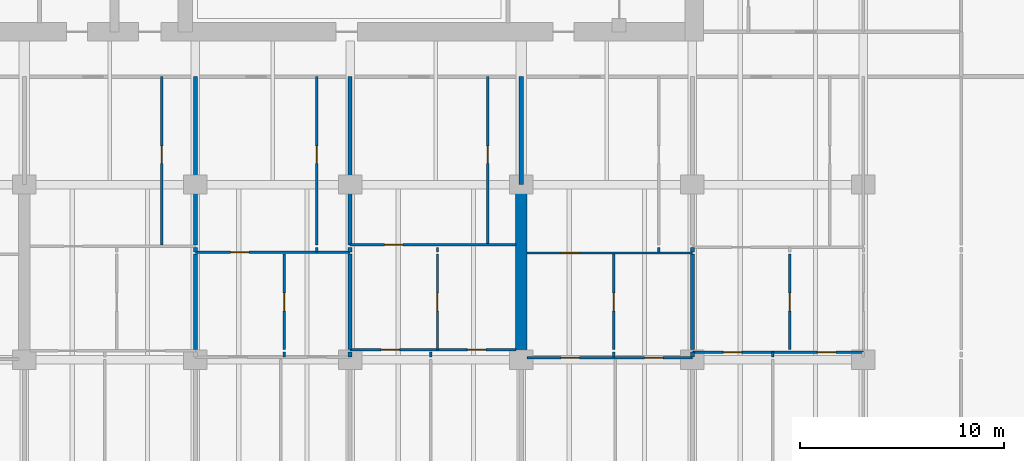
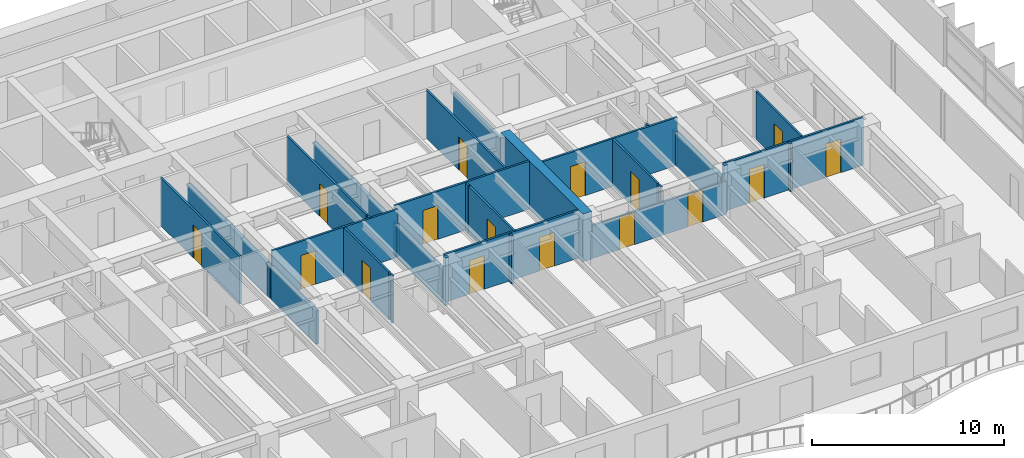
# One storey, part 9 of 18: 32 walls, 16 doors, 16 openings.
"""IFC4 building model written with IfcOpenShell, lengths in metres."""

from ifc_helpers import new_model, si_unit, direction, frame, frame_2d, origin, place, context, subcontext, project, spatial, rectangle, extrude, material, layer, layer_set, type_object, element, fill, save


model = new_model("IFC4")

# Units and contexts
model_context = context("Model", 3, precision=1e-05, world=origin(), true_north=direction((0.0, 1.0)))
body_context = subcontext(model_context, "Body", "Model", "MODEL_VIEW")
ifc_project = project(units=[si_unit("LENGTHUNIT", "METRE"), si_unit("AREAUNIT", "SQUARE_METRE"), si_unit("VOLUMEUNIT", "CUBIC_METRE"), si_unit("PLANEANGLEUNIT", "RADIAN"), si_unit("MASSUNIT", "GRAM", prefix="KILO")], contexts=[model_context])

# Site, building, storey
site_placement = place(None, origin())
site = spatial("IfcSite", under=ifc_project, at=site_placement, CompositionType="ELEMENT")
building_placement = place(site_placement, origin())
building = spatial("IfcBuilding", under=site, at=building_placement, Name="Caelmar Bay Residences", CompositionType="ELEMENT")
storey_placement = place(building_placement, frame((0.0, 0.0, 69.60009765625)))
storey = spatial("IfcBuildingStorey", under=building, at=storey_placement, Name="L18", CompositionType="ELEMENT", Elevation=69.60009765625)

# Wall
ifc_material_1 = material(Name="Concrete f'c 70 MPa (10,000 psi)", Category="concrete")
ifc_layer_1 = layer(ifc_material_1, 0.550048828125)
ifc_layer_set_1 = layer_set([ifc_layer_1], Name="Concrete f'c 70 MPa (10,000 psi)")
wall_type_1 = type_object("IfcWallType", Name="SW-XSLB-550", PredefinedType="SHEAR", material=ifc_layer_set_1)
wall_1_placement = place(storey_placement, frame((51.10009765625, 20.800048828125, 0.0), z_axis=(0.0, 0.0, 1.0), x_axis=(0.0, 1.0, 0.0)))
element("IfcWall", 1, at=wall_1_placement, inside=storey, type_object=wall_type_1, Name="L18 Transverse Cross-Slab Shear Wall E8", PredefinedType="SHEAR", context=body_context, shape_type="SweptSolid", body=[
    extrude(rectangle(XDim=8.599853515625, YDim=0.550048828125, at=frame_2d((4.2998046875, 0.0))), origin(), (0.0, 0.0, 1.0), 3.0498046875),
])

# Wall, opening, door
ifc_material_2 = material(Name="Acoustic metal-stud gypsum partition 120 mm")
ifc_layer_2 = layer(ifc_material_2, 0.1201171875)
ifc_layer_set_2 = layer_set([ifc_layer_2], Name="Acoustic metal-stud gypsum partition 120 mm")
wall_type_2 = type_object("IfcWallType", Name="W-PRT-120", PredefinedType="PARTITIONING", material=ifc_layer_set_2)
wall_2_placement = place(storey_placement, frame((33.449951171875, 26.43994140625, 0.0), z_axis=(0.0, 0.0, 1.0), x_axis=(0.0, 1.0, 0.0)))
wall_2 = element("IfcWall", 2, at=wall_2_placement, inside=storey, type_object=wall_type_2, Name="L18 Partition Wall V046", PredefinedType="PARTITIONING", context=body_context, shape_type="SweptSolid", body=[
    extrude(rectangle(XDim=8.260009765625, YDim=0.1201171875, at=frame_2d((4.1298828125, 0.0))), origin(), (0.0, 0.0, 1.0), 3.0498046875),
])
opening_1_placement = place(wall_2_placement, frame((4.0048828125, 0.0, 0.0)))
opening_1 = element("IfcOpeningElement", 3, at=opening_1_placement, cuts=wall_2, Name="Opening D-L18-135", PredefinedType="OPENING", context=body_context, shape_type="SweptSolid", body=[
    extrude(rectangle(XDim=0.85009765625, YDim=2.10009765625, at=frame_2d((0.425048828125, 1.050048828125))), frame((0.0, 0.070068359375, 0.0), z_axis=(0.0, -1.0, 0.0), x_axis=(1.0, 0.0, 0.0)), (0.0, 0.0, 1.0), 0.14013671875),
])
ifc_material_3 = material(Name="Solid walnut timber interior door leaf and frame", Category="wood")
ifc_layer_3 = layer(ifc_material_3, 0.050048828125)
ifc_layer_set_3 = layer_set([ifc_layer_3], Name="Solid walnut timber interior door leaf and frame")
door_type_1 = type_object("IfcDoorType", Name="D-BATH-850", OperationType="NOTDEFINED", PredefinedType="DOOR", material=ifc_layer_set_3)
door_1_placement = place(opening_1_placement, origin())
door_1 = element("IfcDoor", 4, at=door_1_placement, inside=storey, type_object=door_type_1, Name="L18 Residence 03 Bathroom Door", OperationType="SINGLE_SWING_RIGHT", OverallHeight=2.10009765625, OverallWidth=0.85009765625, PredefinedType="DOOR", context=body_context, shape_type="SweptSolid", body=[
    extrude(rectangle(XDim=0.85009765625, YDim=2.10009765625, at=frame_2d((0.425048828125, 1.050048828125))), frame((0.0, 0.02490234375, 0.0), z_axis=(0.0, -1.0, 0.0), x_axis=(1.0, 0.0, 0.0)), (0.0, 0.0, 1.0), 0.050048828125),
])
fill(opening_1, door_1)

# Wall
wall_3_placement = place(storey_placement, frame((39.4541015625, 20.929931640625, 0.0), z_axis=(0.0, 0.0, 1.0), x_axis=(0.0, 1.0, 0.0)))
element("IfcWall", 5, at=wall_3_placement, inside=storey, type_object=wall_type_2, Name="L18 Partition Wall V057", PredefinedType="PARTITIONING", context=body_context, shape_type="SweptSolid", body=[
    extrude(rectangle(XDim=0.239990234375, YDim=0.1201171875, at=frame_2d((0.1201171875, 0.0))), origin(), (0.0, 0.0, 1.0), 3.0498046875),
])

# Wall, opening, door
wall_4_placement = place(storey_placement, frame((39.4541015625, 21.2900390625, 0.0), z_axis=(0.0, 0.0, 1.0), x_axis=(0.0, 1.0, 0.0)))
wall_4 = element("IfcWall", 6, at=wall_4_placement, inside=storey, type_object=wall_type_2, Name="L18 Partition Wall V058", PredefinedType="PARTITIONING", context=body_context, shape_type="SweptSolid", body=[
    extrude(rectangle(XDim=4.68994140625, YDim=0.1201171875, at=frame_2d((2.344970703125, 0.0))), origin(), (0.0, 0.0, 1.0), 3.0498046875),
])
opening_2_placement = place(wall_4_placement, frame((1.89501953125, 0.0, 0.0)))
opening_2 = element("IfcOpeningElement", 7, at=opening_2_placement, cuts=wall_4, Name="Opening D-L18-144", PredefinedType="OPENING", context=body_context, shape_type="SweptSolid", body=[
    extrude(rectangle(XDim=0.89990234375, YDim=2.14990234375, at=frame_2d((0.449951171875, 1.074951171875))), frame((0.0, 0.070068359375, 0.0), z_axis=(0.0, -1.0, 0.0), x_axis=(1.0, 0.0, 0.0)), (0.0, 0.0, 1.0), 0.14013671875),
])
ifc_layer_4 = layer(ifc_material_3, 0.050048828125)
ifc_layer_set_4 = layer_set([ifc_layer_4], Name="Solid walnut timber interior door leaf and frame")
door_type_2 = type_object("IfcDoorType", Name="D-ROOM-900", OperationType="NOTDEFINED", PredefinedType="DOOR", material=ifc_layer_set_4)
door_2_placement = place(opening_2_placement, origin())
door_2 = element("IfcDoor", 8, at=door_2_placement, inside=storey, type_object=door_type_2, Name="L18 Residence 04 Study Door", OperationType="SINGLE_SWING_LEFT", OverallHeight=2.14990234375, OverallWidth=0.89990234375, PredefinedType="DOOR", context=body_context, shape_type="SweptSolid", body=[
    extrude(rectangle(XDim=0.89990234375, YDim=2.14990234375, at=frame_2d((0.449951171875, 1.074951171875))), frame((0.0, 0.02490234375, 0.0), z_axis=(0.0, -1.0, 0.0), x_axis=(1.0, 0.0, 0.0)), (0.0, 0.0, 1.0), 0.050048828125),
])
fill(opening_2, door_2)

# Wall
wall_5_placement = place(storey_placement, frame((41.050048828125, 26.080078125, 0.0), z_axis=(0.0, 0.0, 1.0), x_axis=(0.0, 1.0, 0.0)))
element("IfcWall", 9, at=wall_5_placement, inside=storey, type_object=wall_type_2, Name="L18 Partition Wall V060", PredefinedType="PARTITIONING", context=body_context, shape_type="SweptSolid", body=[
    extrude(rectangle(XDim=0.239990234375, YDim=0.1201171875, at=frame_2d((0.1201171875, 0.0))), origin(), (0.0, 0.0, 1.0), 3.0498046875),
])

# Wall, opening, door
wall_6_placement = place(storey_placement, frame((41.050048828125, 26.43994140625, 0.0), z_axis=(0.0, 0.0, 1.0), x_axis=(0.0, 1.0, 0.0)))
wall_6 = element("IfcWall", 10, at=wall_6_placement, inside=storey, type_object=wall_type_2, Name="L18 Partition Wall V061", PredefinedType="PARTITIONING", context=body_context, shape_type="SweptSolid", body=[
    extrude(rectangle(XDim=8.260009765625, YDim=0.1201171875, at=frame_2d((4.1298828125, 0.0))), origin(), (0.0, 0.0, 1.0), 3.0498046875),
])
opening_3_placement = place(wall_6_placement, frame((4.0048828125, 0.0, 0.0)))
opening_3 = element("IfcOpeningElement", 11, at=opening_3_placement, cuts=wall_6, Name="Opening D-L18-142", PredefinedType="OPENING", context=body_context, shape_type="SweptSolid", body=[
    extrude(rectangle(XDim=0.85009765625, YDim=2.10009765625, at=frame_2d((0.425048828125, 1.050048828125))), frame((0.0, 0.070068359375, 0.0), z_axis=(0.0, -1.0, 0.0), x_axis=(1.0, 0.0, 0.0)), (0.0, 0.0, 1.0), 0.14013671875),
])
door_3_placement = place(opening_3_placement, origin())
door_3 = element("IfcDoor", 12, at=door_3_placement, inside=storey, type_object=door_type_1, Name="L18 Residence 04 Bathroom Door", OperationType="SINGLE_SWING_LEFT", OverallHeight=2.10009765625, OverallWidth=0.85009765625, PredefinedType="DOOR", context=body_context, shape_type="SweptSolid", body=[
    extrude(rectangle(XDim=0.85009765625, YDim=2.10009765625, at=frame_2d((0.425048828125, 1.050048828125))), frame((0.0, 0.02490234375, 0.0), z_axis=(0.0, -1.0, 0.0), x_axis=(1.0, 0.0, 0.0)), (0.0, 0.0, 1.0), 0.050048828125),
])
fill(opening_3, door_3)

# Wall
wall_7_placement = place(storey_placement, frame((46.64794921875, 20.929931640625, 0.0), z_axis=(0.0, 0.0, 1.0), x_axis=(0.0, 1.0, 0.0)))
element("IfcWall", 13, at=wall_7_placement, inside=storey, type_object=wall_type_2, Name="L18 Partition Wall V072", PredefinedType="PARTITIONING", context=body_context, shape_type="SweptSolid", body=[
    extrude(rectangle(XDim=0.239990234375, YDim=0.1201171875, at=frame_2d((0.1201171875, 0.0))), origin(), (0.0, 0.0, 1.0), 3.0498046875),
])

# Wall, opening, door
wall_8_placement = place(storey_placement, frame((46.986083984375, 21.2900390625, 0.0), z_axis=(0.0, 0.0, 1.0), x_axis=(0.0, 1.0, 0.0)))
wall_8 = element("IfcWall", 14, at=wall_8_placement, inside=storey, type_object=wall_type_2, Name="L18 Partition Wall V073", PredefinedType="PARTITIONING", context=body_context, shape_type="SweptSolid", body=[
    extrude(rectangle(XDim=4.68994140625, YDim=0.1201171875, at=frame_2d((2.344970703125, 0.0))), origin(), (0.0, 0.0, 1.0), 3.0498046875),
])
opening_4_placement = place(wall_8_placement, frame((1.89501953125, 0.0, 0.0)))
opening_4 = element("IfcOpeningElement", 15, at=opening_4_placement, cuts=wall_8, Name="Opening D-L18-151", PredefinedType="OPENING", context=body_context, shape_type="SweptSolid", body=[
    extrude(rectangle(XDim=0.89990234375, YDim=2.14990234375, at=frame_2d((0.449951171875, 1.074951171875))), frame((0.0, 0.070068359375, 0.0), z_axis=(0.0, -1.0, 0.0), x_axis=(1.0, 0.0, 0.0)), (0.0, 0.0, 1.0), 0.14013671875),
])
door_4_placement = place(opening_4_placement, origin())
door_4 = element("IfcDoor", 16, at=door_4_placement, inside=storey, type_object=door_type_2, Name="L18 Residence 05 Study Door", OperationType="SINGLE_SWING_RIGHT", OverallHeight=2.14990234375, OverallWidth=0.89990234375, PredefinedType="DOOR", context=body_context, shape_type="SweptSolid", body=[
    extrude(rectangle(XDim=0.89990234375, YDim=2.14990234375, at=frame_2d((0.449951171875, 1.074951171875))), frame((0.0, 0.02490234375, 0.0), z_axis=(0.0, -1.0, 0.0), x_axis=(1.0, 0.0, 0.0)), (0.0, 0.0, 1.0), 0.050048828125),
])
fill(opening_4, door_4)

# Wall
wall_9_placement = place(storey_placement, frame((46.986083984375, 26.080078125, 0.0), z_axis=(0.0, 0.0, 1.0), x_axis=(0.0, 1.0, 0.0)))
element("IfcWall", 17, at=wall_9_placement, inside=storey, type_object=wall_type_2, Name="L18 Partition Wall V074", PredefinedType="PARTITIONING", context=body_context, shape_type="SweptSolid", body=[
    extrude(rectangle(XDim=0.239990234375, YDim=0.1201171875, at=frame_2d((0.1201171875, 0.0))), origin(), (0.0, 0.0, 1.0), 3.0498046875),
])

# Wall, opening, door
wall_10_placement = place(storey_placement, frame((49.449951171875, 26.43994140625, 0.0), z_axis=(0.0, 0.0, 1.0), x_axis=(0.0, 1.0, 0.0)))
wall_10 = element("IfcWall", 18, at=wall_10_placement, inside=storey, type_object=wall_type_2, Name="L18 Partition Wall V076", PredefinedType="PARTITIONING", context=body_context, shape_type="SweptSolid", body=[
    extrude(rectangle(XDim=8.260009765625, YDim=0.1201171875, at=frame_2d((4.1298828125, 0.0))), origin(), (0.0, 0.0, 1.0), 3.0498046875),
])
opening_5_placement = place(wall_10_placement, frame((4.0048828125, 0.0, 0.0)))
opening_5 = element("IfcOpeningElement", 19, at=opening_5_placement, cuts=wall_10, Name="Opening D-L18-149", PredefinedType="OPENING", context=body_context, shape_type="SweptSolid", body=[
    extrude(rectangle(XDim=0.85009765625, YDim=2.10009765625, at=frame_2d((0.425048828125, 1.050048828125))), frame((0.0, 0.070068359375, 0.0), z_axis=(0.0, -1.0, 0.0), x_axis=(1.0, 0.0, 0.0)), (0.0, 0.0, 1.0), 0.14013671875),
])
door_5_placement = place(opening_5_placement, origin())
door_5 = element("IfcDoor", 20, at=door_5_placement, inside=storey, type_object=door_type_1, Name="L18 Residence 05 Bathroom Door", OperationType="SINGLE_SWING_RIGHT", OverallHeight=2.10009765625, OverallWidth=0.85009765625, PredefinedType="DOOR", context=body_context, shape_type="SweptSolid", body=[
    extrude(rectangle(XDim=0.85009765625, YDim=2.10009765625, at=frame_2d((0.425048828125, 1.050048828125))), frame((0.0, 0.02490234375, 0.0), z_axis=(0.0, -1.0, 0.0), x_axis=(1.0, 0.0, 0.0)), (0.0, 0.0, 1.0), 0.050048828125),
])
fill(opening_5, door_5)

# Wall
wall_11_placement = place(storey_placement, frame((55.635986328125, 20.929931640625, 0.0), z_axis=(0.0, 0.0, 1.0), x_axis=(0.0, 1.0, 0.0)))
element("IfcWall", 21, at=wall_11_placement, inside=storey, type_object=wall_type_2, Name="L18 Partition Wall V083", PredefinedType="PARTITIONING", context=body_context, shape_type="SweptSolid", body=[
    extrude(rectangle(XDim=0.239990234375, YDim=0.1201171875, at=frame_2d((0.1201171875, 0.0))), origin(), (0.0, 0.0, 1.0), 3.0498046875),
])

# Wall, opening, door
wall_12_placement = place(storey_placement, frame((55.635986328125, 21.2900390625, 0.0), z_axis=(0.0, 0.0, 1.0), x_axis=(0.0, 1.0, 0.0)))
wall_12 = element("IfcWall", 22, at=wall_12_placement, inside=storey, type_object=wall_type_2, Name="L18 Partition Wall V084", PredefinedType="PARTITIONING", context=body_context, shape_type="SweptSolid", body=[
    extrude(rectangle(XDim=4.68994140625, YDim=0.1201171875, at=frame_2d((2.344970703125, 0.0))), origin(), (0.0, 0.0, 1.0), 3.0498046875),
])
opening_6_placement = place(wall_12_placement, frame((1.89501953125, 0.0, 0.0)))
opening_6 = element("IfcOpeningElement", 23, at=opening_6_placement, cuts=wall_12, Name="Opening D-L18-158", PredefinedType="OPENING", context=body_context, shape_type="SweptSolid", body=[
    extrude(rectangle(XDim=0.89990234375, YDim=2.14990234375, at=frame_2d((0.449951171875, 1.074951171875))), frame((0.0, 0.070068359375, 0.0), z_axis=(0.0, -1.0, 0.0), x_axis=(1.0, 0.0, 0.0)), (0.0, 0.0, 1.0), 0.14013671875),
])
door_6_placement = place(opening_6_placement, origin())
door_6 = element("IfcDoor", 24, at=door_6_placement, inside=storey, type_object=door_type_2, Name="L18 Residence 06 Study Door", OperationType="SINGLE_SWING_LEFT", OverallHeight=2.14990234375, OverallWidth=0.89990234375, PredefinedType="DOOR", context=body_context, shape_type="SweptSolid", body=[
    extrude(rectangle(XDim=0.89990234375, YDim=2.14990234375, at=frame_2d((0.449951171875, 1.074951171875))), frame((0.0, 0.02490234375, 0.0), z_axis=(0.0, -1.0, 0.0), x_axis=(1.0, 0.0, 0.0)), (0.0, 0.0, 1.0), 0.050048828125),
])
fill(opening_6, door_6)

# Walls
for number, where, z_axis, x_axis, name in (
    (25, (57.85009765625, 26.080078125, 0.0), (0.0, 0.0, 1.0), (0.0, 1.0, 0.0), "L18 Partition Wall V088"),
    (26, (63.447998046875, 20.929931640625, 0.0), (0.0, 0.0, 1.0), (0.0, 1.0, 0.0), "L18 Partition Wall V099"),
):
    element("IfcWall", number, at=place(storey_placement, frame(where, z_axis=z_axis, x_axis=x_axis)), inside=storey, type_object=wall_type_2, Name=name, PredefinedType="PARTITIONING", context=body_context, shape_type="SweptSolid", body=[
        extrude(rectangle(XDim=0.239990234375, YDim=0.1201171875, at=frame_2d((0.1201171875, 0.0))), origin(), (0.0, 0.0, 1.0), 3.0498046875),
    ])

# Wall, opening, door
wall_13_placement = place(storey_placement, frame((64.285888671875, 21.2900390625, 0.0), z_axis=(0.0, 0.0, 1.0), x_axis=(0.0, 1.0, 0.0)))
wall_13 = element("IfcWall", 27, at=wall_13_placement, inside=storey, type_object=wall_type_2, Name="L18 Partition Wall V100", PredefinedType="PARTITIONING", context=body_context, shape_type="SweptSolid", body=[
    extrude(rectangle(XDim=4.68994140625, YDim=0.1201171875, at=frame_2d((2.344970703125, 0.0))), origin(), (0.0, 0.0, 1.0), 3.0498046875),
])
opening_7_placement = place(wall_13_placement, frame((1.89501953125, 0.0, 0.0)))
opening_7 = element("IfcOpeningElement", 28, at=opening_7_placement, cuts=wall_13, Name="Opening D-L18-165", PredefinedType="OPENING", context=body_context, shape_type="SweptSolid", body=[
    extrude(rectangle(XDim=0.89990234375, YDim=2.14990234375, at=frame_2d((0.449951171875, 1.074951171875))), frame((0.0, 0.070068359375, 0.0), z_axis=(0.0, -1.0, 0.0), x_axis=(1.0, 0.0, 0.0)), (0.0, 0.0, 1.0), 0.14013671875),
])
door_7_placement = place(opening_7_placement, origin())
door_7 = element("IfcDoor", 29, at=door_7_placement, inside=storey, type_object=door_type_2, Name="L18 Residence 07 Study Door", OperationType="SINGLE_SWING_RIGHT", OverallHeight=2.14990234375, OverallWidth=0.89990234375, PredefinedType="DOOR", context=body_context, shape_type="SweptSolid", body=[
    extrude(rectangle(XDim=0.89990234375, YDim=2.14990234375, at=frame_2d((0.449951171875, 1.074951171875))), frame((0.0, 0.02490234375, 0.0), z_axis=(0.0, -1.0, 0.0), x_axis=(1.0, 0.0, 0.0)), (0.0, 0.0, 1.0), 0.050048828125),
])
fill(opening_7, door_7)

# Wall, openings, doors
wall_14_placement = place(storey_placement, frame((51.3701171875, 20.889892578125, 0.0), z_axis=(0.0, 0.0, 1.0), x_axis=(1.0, 0.0, 0.0)))
wall_14 = element("IfcWall", 30, at=wall_14_placement, inside=storey, type_object=wall_type_2, Name="L18 Partition Wall H125", PredefinedType="PARTITIONING", context=body_context, shape_type="SweptSolid", body=[
    extrude(rectangle(XDim=8.1298828125, YDim=0.1201171875, at=frame_2d((4.06494140625, 0.0))), origin(), (0.0, 0.0, 1.0), 2.10986328125),
])
opening_8_placement = place(wall_14_placement, frame((1.68310546875, 0.0, 0.0)))
opening_8 = element("IfcOpeningElement", 31, at=opening_8_placement, cuts=wall_14, Name="Opening D-L18-159", PredefinedType="OPENING", context=body_context, shape_type="SweptSolid", body=[
    extrude(rectangle(XDim=0.89990234375, YDim=2.06005859375, at=frame_2d((0.449951171875, 1.030029296875))), frame((0.0, 0.070068359375, 0.0), z_axis=(0.0, -1.0, 0.0), x_axis=(1.0, 0.0, 0.0)), (0.0, 0.0, 1.0), 0.14013671875),
])
opening_9_placement = place(wall_14_placement, frame((5.7900390625, 0.0, 0.0)))
opening_9 = element("IfcOpeningElement", 32, at=opening_9_placement, cuts=wall_14, Name="Opening D-L18-160", PredefinedType="OPENING", context=body_context, shape_type="SweptSolid", body=[
    extrude(rectangle(XDim=0.89990234375, YDim=2.06005859375, at=frame_2d((0.449951171875, 1.030029296875))), frame((0.0, 0.070068359375, 0.0), z_axis=(0.0, -1.0, 0.0), x_axis=(1.0, 0.0, 0.0)), (0.0, 0.0, 1.0), 0.14013671875),
])
door_8_placement = place(opening_8_placement, origin())
door_8 = element("IfcDoor", 33, at=door_8_placement, inside=storey, type_object=door_type_2, Name="L18 Residence 06 Penthouse Living Salon Door", OperationType="SINGLE_SWING_RIGHT", OverallHeight=2.06005859375, OverallWidth=0.89990234375, PredefinedType="DOOR", context=body_context, shape_type="SweptSolid", body=[
    extrude(rectangle(XDim=0.89990234375, YDim=2.06005859375, at=frame_2d((0.449951171875, 1.030029296875))), frame((0.0, 0.02490234375, 0.0), z_axis=(0.0, -1.0, 0.0), x_axis=(1.0, 0.0, 0.0)), (0.0, 0.0, 1.0), 0.050048828125),
])
fill(opening_8, door_8)
door_9_placement = place(opening_9_placement, origin())
door_9 = element("IfcDoor", 34, at=door_9_placement, inside=storey, type_object=door_type_2, Name="L18 Residence 06 Penthouse Sitting Room Door", OperationType="SINGLE_SWING_LEFT", OverallHeight=2.06005859375, OverallWidth=0.89990234375, PredefinedType="DOOR", context=body_context, shape_type="SweptSolid", body=[
    extrude(rectangle(XDim=0.89990234375, YDim=2.06005859375, at=frame_2d((0.449951171875, 1.030029296875))), frame((0.0, 0.02490234375, 0.0), z_axis=(0.0, -1.0, 0.0), x_axis=(1.0, 0.0, 0.0)), (0.0, 0.0, 1.0), 0.050048828125),
])
fill(opening_9, door_9)

wall_15_placement = place(storey_placement, frame((59.5, 21.169921875, 0.0), z_axis=(0.0, 0.0, 1.0), x_axis=(1.0, 0.0, 0.0)))
wall_15 = element("IfcWall", 35, at=wall_15_placement, inside=storey, type_object=wall_type_2, Name="L18 Partition Wall H128", PredefinedType="PARTITIONING", context=body_context, shape_type="SweptSolid", body=[
    extrude(rectangle(XDim=8.39990234375, YDim=0.1201171875, at=frame_2d((4.199951171875, 0.0))), origin(), (0.0, 0.0, 1.0), 3.0498046875),
])
opening_10_placement = place(wall_15_placement, frame((1.52392578125, 0.0, 0.0)))
opening_10 = element("IfcOpeningElement", 36, at=opening_10_placement, cuts=wall_15, Name="Opening D-L18-166", PredefinedType="OPENING", context=body_context, shape_type="SweptSolid", body=[
    extrude(rectangle(XDim=0.89990234375, YDim=2.14990234375, at=frame_2d((0.449951171875, 1.074951171875))), frame((0.0, 0.070068359375, 0.0), z_axis=(0.0, -1.0, 0.0), x_axis=(1.0, 0.0, 0.0)), (0.0, 0.0, 1.0), 0.14013671875),
])
opening_11_placement = place(wall_15_placement, frame((6.14306640625, 0.0, 0.0)))
opening_11 = element("IfcOpeningElement", 37, at=opening_11_placement, cuts=wall_15, Name="Opening D-L18-167", PredefinedType="OPENING", context=body_context, shape_type="SweptSolid", body=[
    extrude(rectangle(XDim=0.89990234375, YDim=2.14990234375, at=frame_2d((0.449951171875, 1.074951171875))), frame((0.0, 0.070068359375, 0.0), z_axis=(0.0, -1.0, 0.0), x_axis=(1.0, 0.0, 0.0)), (0.0, 0.0, 1.0), 0.14013671875),
])
door_10_placement = place(opening_10_placement, origin())
door_10 = element("IfcDoor", 38, at=door_10_placement, inside=storey, type_object=door_type_2, Name="L18 Residence 07 Living Room Door", OperationType="SINGLE_SWING_LEFT", OverallHeight=2.14990234375, OverallWidth=0.89990234375, PredefinedType="DOOR", context=body_context, shape_type="SweptSolid", body=[
    extrude(rectangle(XDim=0.89990234375, YDim=2.14990234375, at=frame_2d((0.449951171875, 1.074951171875))), frame((0.0, 0.02490234375, 0.0), z_axis=(0.0, -1.0, 0.0), x_axis=(1.0, 0.0, 0.0)), (0.0, 0.0, 1.0), 0.050048828125),
])
fill(opening_10, door_10)
door_11_placement = place(opening_11_placement, origin())
door_11 = element("IfcDoor", 39, at=door_11_placement, inside=storey, type_object=door_type_2, Name="L18 Residence 07 Penthouse Sitting Room Door", OperationType="SINGLE_SWING_RIGHT", OverallHeight=2.14990234375, OverallWidth=0.89990234375, PredefinedType="DOOR", context=body_context, shape_type="SweptSolid", body=[
    extrude(rectangle(XDim=0.89990234375, YDim=2.14990234375, at=frame_2d((0.449951171875, 1.074951171875))), frame((0.0, 0.02490234375, 0.0), z_axis=(0.0, -1.0, 0.0), x_axis=(1.0, 0.0, 0.0)), (0.0, 0.0, 1.0), 0.050048828125),
])
fill(opening_11, door_11)

wall_16_placement = place(storey_placement, frame((42.699951171875, 21.2900390625, 0.0), z_axis=(0.0, 0.0, 1.0), x_axis=(1.0, 0.0, 0.0)))
wall_16 = element("IfcWall", 40, at=wall_16_placement, inside=storey, type_object=wall_type_2, Name="L18 Partition Wall H130", PredefinedType="PARTITIONING", context=body_context, shape_type="SweptSolid", body=[
    extrude(rectangle(XDim=8.130126953125, YDim=0.1201171875, at=frame_2d((4.06494140625, 0.0))), origin(), (0.0, 0.0, 1.0), 3.0498046875),
])
opening_12_placement = place(wall_16_placement, frame((1.52392578125, 0.0, 0.0)))
opening_12 = element("IfcOpeningElement", 41, at=opening_12_placement, cuts=wall_16, Name="Opening D-L18-152", PredefinedType="OPENING", context=body_context, shape_type="SweptSolid", body=[
    extrude(rectangle(XDim=0.89990234375, YDim=2.14990234375, at=frame_2d((0.449951171875, 1.074951171875))), frame((0.0, 0.070068359375, 0.0), z_axis=(0.0, -1.0, 0.0), x_axis=(1.0, 0.0, 0.0)), (0.0, 0.0, 1.0), 0.14013671875),
])
opening_13_placement = place(wall_16_placement, frame((5.758056640625, 0.0, 0.0)))
opening_13 = element("IfcOpeningElement", 42, at=opening_13_placement, cuts=wall_16, Name="Opening D-L18-153", PredefinedType="OPENING", context=body_context, shape_type="SweptSolid", body=[
    extrude(rectangle(XDim=0.89990234375, YDim=2.14990234375, at=frame_2d((0.449951171875, 1.074951171875))), frame((0.0, 0.070068359375, 0.0), z_axis=(0.0, -1.0, 0.0), x_axis=(1.0, 0.0, 0.0)), (0.0, 0.0, 1.0), 0.14013671875),
])
door_12_placement = place(opening_12_placement, origin())
door_12 = element("IfcDoor", 43, at=door_12_placement, inside=storey, type_object=door_type_2, Name="L18 Residence 05 Living Room Door", OperationType="SINGLE_SWING_LEFT", OverallHeight=2.14990234375, OverallWidth=0.89990234375, PredefinedType="DOOR", context=body_context, shape_type="SweptSolid", body=[
    extrude(rectangle(XDim=0.89990234375, YDim=2.14990234375, at=frame_2d((0.449951171875, 1.074951171875))), frame((0.0, 0.02490234375, 0.0), z_axis=(0.0, -1.0, 0.0), x_axis=(1.0, 0.0, 0.0)), (0.0, 0.0, 1.0), 0.050048828125),
])
fill(opening_12, door_12)
door_13_placement = place(opening_13_placement, origin())
door_13 = element("IfcDoor", 44, at=door_13_placement, inside=storey, type_object=door_type_2, Name="L18 Residence 05 Penthouse Sitting Room Door", OperationType="SINGLE_SWING_RIGHT", OverallHeight=2.14990234375, OverallWidth=0.89990234375, PredefinedType="DOOR", context=body_context, shape_type="SweptSolid", body=[
    extrude(rectangle(XDim=0.89990234375, YDim=2.14990234375, at=frame_2d((0.449951171875, 1.074951171875))), frame((0.0, 0.02490234375, 0.0), z_axis=(0.0, -1.0, 0.0), x_axis=(1.0, 0.0, 0.0)), (0.0, 0.0, 1.0), 0.050048828125),
])
fill(opening_13, door_13)

# Wall, opening, door
wall_17_placement = place(storey_placement, frame((51.3701171875, 26.0400390625, 0.0), z_axis=(0.0, 0.0, 1.0), x_axis=(1.0, 0.0, 0.0)))
wall_17 = element("IfcWall", 45, at=wall_17_placement, inside=storey, type_object=wall_type_2, Name="L18 Partition Wall H132", PredefinedType="PARTITIONING", context=body_context, shape_type="SweptSolid", body=[
    extrude(rectangle(XDim=8.1298828125, YDim=0.1201171875, at=frame_2d((4.06494140625, 0.0))), origin(), (0.0, 0.0, 1.0), 3.0498046875),
])
opening_14_placement = place(wall_17_placement, frame((1.68310546875, 0.0, 0.0)))
opening_14 = element("IfcOpeningElement", 46, at=opening_14_placement, cuts=wall_17, Name="Opening D-L18-157", PredefinedType="OPENING", context=body_context, shape_type="SweptSolid", body=[
    extrude(rectangle(XDim=0.89990234375, YDim=2.14990234375, at=frame_2d((0.449951171875, 1.074951171875))), frame((0.0, 0.070068359375, 0.0), z_axis=(0.0, -1.0, 0.0), x_axis=(1.0, 0.0, 0.0)), (0.0, 0.0, 1.0), 0.14013671875),
])
door_14_placement = place(opening_14_placement, origin())
door_14 = element("IfcDoor", 47, at=door_14_placement, inside=storey, type_object=door_type_2, Name="L18 Residence 06 Kitchen Door", OperationType="SINGLE_SWING_RIGHT", OverallHeight=2.14990234375, OverallWidth=0.89990234375, PredefinedType="DOOR", context=body_context, shape_type="SweptSolid", body=[
    extrude(rectangle(XDim=0.89990234375, YDim=2.14990234375, at=frame_2d((0.449951171875, 1.074951171875))), frame((0.0, 0.02490234375, 0.0), z_axis=(0.0, -1.0, 0.0), x_axis=(1.0, 0.0, 0.0)), (0.0, 0.0, 1.0), 0.050048828125),
])
fill(opening_14, door_14)

wall_18_placement = place(storey_placement, frame((35.10009765625, 26.080078125, 0.0), z_axis=(0.0, 0.0, 1.0), x_axis=(1.0, 0.0, 0.0)))
wall_18 = element("IfcWall", 48, at=wall_18_placement, inside=storey, type_object=wall_type_2, Name="L18 Partition Wall H133", PredefinedType="PARTITIONING", context=body_context, shape_type="SweptSolid", body=[
    extrude(rectangle(XDim=7.599853515625, YDim=0.1201171875, at=frame_2d((3.7998046875, 0.0))), origin(), (0.0, 0.0, 1.0), 3.0498046875),
])
opening_15_placement = place(wall_18_placement, frame((1.72705078125, 0.0, 0.0)))
opening_15 = element("IfcOpeningElement", 49, at=opening_15_placement, cuts=wall_18, Name="Opening D-L18-143", PredefinedType="OPENING", context=body_context, shape_type="SweptSolid", body=[
    extrude(rectangle(XDim=0.89990234375, YDim=2.14990234375, at=frame_2d((0.449951171875, 1.074951171875))), frame((0.0, 0.070068359375, 0.0), z_axis=(0.0, -1.0, 0.0), x_axis=(1.0, 0.0, 0.0)), (0.0, 0.0, 1.0), 0.14013671875),
])
door_15_placement = place(opening_15_placement, origin())
door_15 = element("IfcDoor", 50, at=door_15_placement, inside=storey, type_object=door_type_2, Name="L18 Residence 04 Kitchen Door", OperationType="SINGLE_SWING_RIGHT", OverallHeight=2.14990234375, OverallWidth=0.89990234375, PredefinedType="DOOR", context=body_context, shape_type="SweptSolid", body=[
    extrude(rectangle(XDim=0.89990234375, YDim=2.14990234375, at=frame_2d((0.449951171875, 1.074951171875))), frame((0.0, 0.02490234375, 0.0), z_axis=(0.0, -1.0, 0.0), x_axis=(1.0, 0.0, 0.0)), (0.0, 0.0, 1.0), 0.050048828125),
])
fill(opening_15, door_15)

wall_19_placement = place(storey_placement, frame((42.699951171875, 26.43994140625, 0.0), z_axis=(0.0, 0.0, 1.0), x_axis=(1.0, 0.0, 0.0)))
wall_19 = element("IfcWall", 51, at=wall_19_placement, inside=storey, type_object=wall_type_2, Name="L18 Partition Wall H137", PredefinedType="PARTITIONING", context=body_context, shape_type="SweptSolid", body=[
    extrude(rectangle(XDim=8.130126953125, YDim=0.1201171875, at=frame_2d((4.06494140625, 0.0))), origin(), (0.0, 0.0, 1.0), 3.0498046875),
])
opening_16_placement = place(wall_19_placement, frame((1.693115234375, 0.0, 0.0)))
opening_16 = element("IfcOpeningElement", 52, at=opening_16_placement, cuts=wall_19, Name="Opening D-L18-150", PredefinedType="OPENING", context=body_context, shape_type="SweptSolid", body=[
    extrude(rectangle(XDim=0.89990234375, YDim=2.14990234375, at=frame_2d((0.449951171875, 1.074951171875))), frame((0.0, 0.070068359375, 0.0), z_axis=(0.0, -1.0, 0.0), x_axis=(1.0, 0.0, 0.0)), (0.0, 0.0, 1.0), 0.14013671875),
])
door_16_placement = place(opening_16_placement, origin())
door_16 = element("IfcDoor", 53, at=door_16_placement, inside=storey, type_object=door_type_2, Name="L18 Residence 05 Kitchen Door", OperationType="SINGLE_SWING_LEFT", OverallHeight=2.14990234375, OverallWidth=0.89990234375, PredefinedType="DOOR", context=body_context, shape_type="SweptSolid", body=[
    extrude(rectangle(XDim=0.89990234375, YDim=2.14990234375, at=frame_2d((0.449951171875, 1.074951171875))), frame((0.0, 0.02490234375, 0.0), z_axis=(0.0, -1.0, 0.0), x_axis=(1.0, 0.0, 0.0)), (0.0, 0.0, 1.0), 0.050048828125),
])
fill(opening_16, door_16)

# Walls
ifc_material_4 = material(Name="Acoustic twin-stud fire-rated inter-tenancy partition 200 mm")
ifc_layer_5 = layer(ifc_material_4, 0.199951171875)
ifc_layer_set_5 = layer_set([ifc_layer_5], Name="Acoustic twin-stud fire-rated inter-tenancy partition 200 mm")
wall_type_3 = type_object("IfcWallType", Name="W-PTY-200", PredefinedType="PARTITIONING", material=ifc_layer_set_5)
wall_20_placement = place(storey_placement, frame((35.10009765625, 21.2900390625, 0.0), z_axis=(0.0, 0.0, 1.0), x_axis=(0.0, 1.0, 0.0)))
element("IfcWall", 54, at=wall_20_placement, inside=storey, type_object=wall_type_3, Name="L18 Partition Wall V050", PredefinedType="PARTITIONING", context=body_context, shape_type="SweptSolid", body=[
    extrude(rectangle(XDim=4.68994140625, YDim=0.199951171875, at=frame_2d((2.344970703125, 0.0))), origin(), (0.0, 0.0, 1.0), 2.10986328125),
])
wall_21_placement = place(storey_placement, frame((35.10009765625, 26.080078125, 0.0), z_axis=(0.0, 0.0, 1.0), x_axis=(0.0, 1.0, 0.0)))
element("IfcWall", 55, at=wall_21_placement, inside=storey, type_object=wall_type_3, Name="L18 Partition Wall V051", PredefinedType="PARTITIONING", context=body_context, shape_type="SweptSolid", body=[
    extrude(rectangle(XDim=0.239990234375, YDim=0.199951171875, at=frame_2d((0.1201171875, 0.0))), origin(), (0.0, 0.0, 1.0), 2.10986328125),
])
wall_22_placement = place(storey_placement, frame((35.10009765625, 26.43994140625, 0.0), z_axis=(0.0, 0.0, 1.0), x_axis=(0.0, 1.0, 0.0)))
element("IfcWall", 56, at=wall_22_placement, inside=storey, type_object=wall_type_3, Name="L18 Partition Wall V052", PredefinedType="PARTITIONING", context=body_context, shape_type="SweptSolid", body=[
    extrude(rectangle(XDim=8.260009765625, YDim=0.199951171875, at=frame_2d((4.1298828125, 0.0))), origin(), (0.0, 0.0, 1.0), 2.10986328125),
])
wall_23_placement = place(storey_placement, frame((42.699951171875, 20.929931640625, 0.0), z_axis=(0.0, 0.0, 1.0), x_axis=(0.0, 1.0, 0.0)))
element("IfcWall", 57, at=wall_23_placement, inside=storey, type_object=wall_type_3, Name="L18 Partition Wall V064", PredefinedType="PARTITIONING", context=body_context, shape_type="SweptSolid", body=[
    extrude(rectangle(XDim=0.239990234375, YDim=0.199951171875, at=frame_2d((0.1201171875, 0.0))), origin(), (0.0, 0.0, 1.0), 3.0498046875),
])
wall_24_placement = place(storey_placement, frame((42.699951171875, 21.2900390625, 0.0), z_axis=(0.0, 0.0, 1.0), x_axis=(0.0, 1.0, 0.0)))
element("IfcWall", 58, at=wall_24_placement, inside=storey, type_object=wall_type_3, Name="L18 Partition Wall V065", PredefinedType="PARTITIONING", context=body_context, shape_type="SweptSolid", body=[
    extrude(rectangle(XDim=4.68994140625, YDim=0.199951171875, at=frame_2d((2.344970703125, 0.0))), origin(), (0.0, 0.0, 1.0), 2.10986328125),
])
wall_25_placement = place(storey_placement, frame((42.699951171875, 26.080078125, 0.0), z_axis=(0.0, 0.0, 1.0), x_axis=(0.0, 1.0, 0.0)))
element("IfcWall", 59, at=wall_25_placement, inside=storey, type_object=wall_type_3, Name="L18 Partition Wall V066", PredefinedType="PARTITIONING", context=body_context, shape_type="SweptSolid", body=[
    extrude(rectangle(XDim=0.239990234375, YDim=0.199951171875, at=frame_2d((0.1201171875, 0.0))), origin(), (0.0, 0.0, 1.0), 2.10986328125),
])
wall_26_placement = place(storey_placement, frame((42.699951171875, 26.43994140625, 0.0), z_axis=(0.0, 0.0, 1.0), x_axis=(0.0, 1.0, 0.0)))
element("IfcWall", 60, at=wall_26_placement, inside=storey, type_object=wall_type_3, Name="L18 Partition Wall V067", PredefinedType="PARTITIONING", context=body_context, shape_type="SweptSolid", body=[
    extrude(rectangle(XDim=8.260009765625, YDim=0.199951171875, at=frame_2d((4.1298828125, 0.0))), origin(), (0.0, 0.0, 1.0), 2.10986328125),
])
wall_27_placement = place(storey_placement, frame((51.10009765625, 29.405029296875, 0.0), z_axis=(0.0, 0.0, 1.0), x_axis=(0.0, 1.0, 0.0)))
element("IfcWall", 61, at=wall_27_placement, inside=storey, type_object=wall_type_3, Name="L18 Partition Wall V081", PredefinedType="PARTITIONING", context=body_context, shape_type="SweptSolid", body=[
    extrude(rectangle(XDim=5.294921875, YDim=0.199951171875, at=frame_2d((2.6474609375, 0.0))), origin(), (0.0, 0.0, 1.0), 2.3349609375),
])
wall_28_placement = place(storey_placement, frame((59.5, 20.929931640625, 0.0), z_axis=(0.0, 0.0, 1.0), x_axis=(0.0, 1.0, 0.0)))
element("IfcWall", 62, at=wall_28_placement, inside=storey, type_object=wall_type_3, Name="L18 Partition Wall V092", PredefinedType="PARTITIONING", context=body_context, shape_type="SweptSolid", body=[
    extrude(rectangle(XDim=0.239990234375, YDim=0.199951171875, at=frame_2d((0.1201171875, 0.0))), origin(), (0.0, 0.0, 1.0), 3.0498046875),
])
wall_29_placement = place(storey_placement, frame((59.5, 21.2900390625, 0.0), z_axis=(0.0, 0.0, 1.0), x_axis=(0.0, 1.0, 0.0)))
element("IfcWall", 63, at=wall_29_placement, inside=storey, type_object=wall_type_3, Name="L18 Partition Wall V093", PredefinedType="PARTITIONING", context=body_context, shape_type="SweptSolid", body=[
    extrude(rectangle(XDim=4.68994140625, YDim=0.199951171875, at=frame_2d((2.344970703125, 0.0))), origin(), (0.0, 0.0, 1.0), 2.10986328125),
])
wall_30_placement = place(storey_placement, frame((59.5, 26.080078125, 0.0), z_axis=(0.0, 0.0, 1.0), x_axis=(0.0, 1.0, 0.0)))
element("IfcWall", 64, at=wall_30_placement, inside=storey, type_object=wall_type_3, Name="L18 Partition Wall V094", PredefinedType="PARTITIONING", context=body_context, shape_type="SweptSolid", body=[
    extrude(rectangle(XDim=0.239990234375, YDim=0.199951171875, at=frame_2d((0.1201171875, 0.0))), origin(), (0.0, 0.0, 1.0), 2.10986328125),
])

save(model, "model.ifc")
